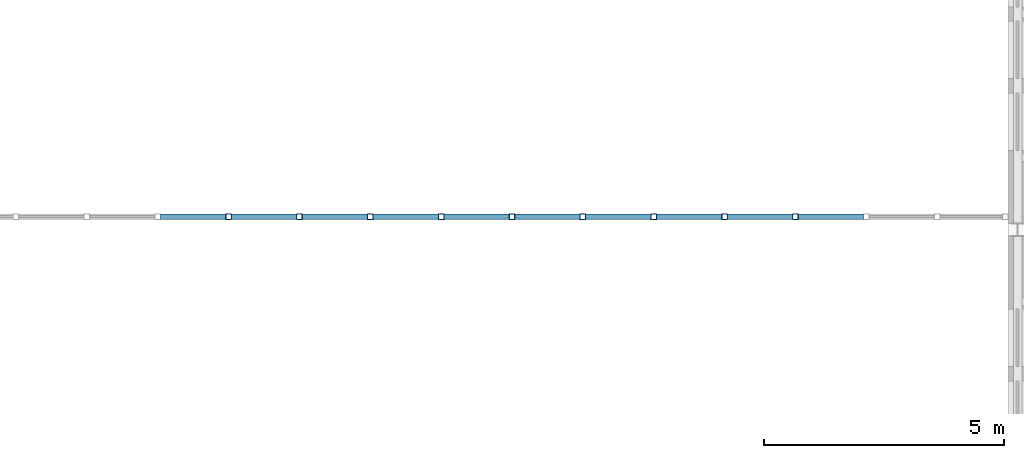
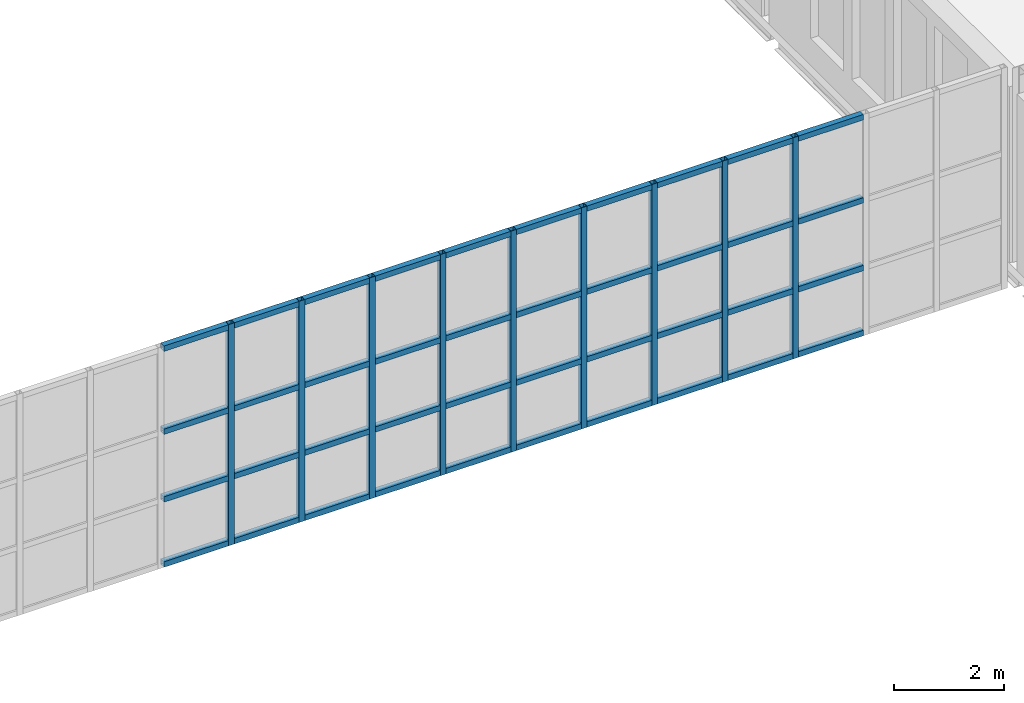
# One storey, part 27 of 134: 49 members, 1 element without a shape of its own.
"""IFC4 building model written with IfcOpenShell, lengths in metres."""

from ifc_helpers import new_model, si_unit, direction, frame, origin, origin_2d, place, context, subcontext, project, spatial, hollow_rectangle, extrude, material, material_profile, profile_set, type_object, element, aggregate, save


model = new_model("IFC4")

# Units and contexts
model_context = context("Model", 3, precision=1e-05, world=origin(), true_north=direction((0.0, 1.0)))
body_context = subcontext(model_context, "Body", "Model", "MODEL_VIEW")
ifc_project = project(units=[si_unit("LENGTHUNIT", "METRE"), si_unit("AREAUNIT", "SQUARE_METRE"), si_unit("VOLUMEUNIT", "CUBIC_METRE"), si_unit("PLANEANGLEUNIT", "RADIAN"), si_unit("MASSUNIT", "GRAM", prefix="KILO")], contexts=[model_context])

# Site, building, storey
site_placement = place(None, origin())
site = spatial("IfcSite", under=ifc_project, at=site_placement, CompositionType="ELEMENT")
building_placement = place(site_placement, origin())
building = spatial("IfcBuilding", under=site, at=building_placement, Name="Golden Quay Civic Hall", CompositionType="ELEMENT")
storey_placement = place(building_placement, frame((0.0, 0.0, 5.39990234375)))
storey = spatial("IfcBuildingStorey", under=building, at=storey_placement, Name="L01", CompositionType="ELEMENT", Elevation=5.39990234375)

# Curtain wall, members
ifc_material_1 = material(Name="Fire-resisting glass and steel", Category="steel")
curtain_wall_type = type_object("IfcCurtainWallType", Name="Fire-resisting glazed curtain wall EI 120", PredefinedType="NOTDEFINED", material=ifc_material_1)
curtain_wall_placement = place(storey_placement, origin())
curtain_wall = element("IfcCurtainWall", 1, at=curtain_wall_placement, inside=storey, type_object=curtain_wall_type, Name="CW3 curtain wall", PredefinedType="NOTDEFINED")
ifc_material_2 = material(Name="Steel S355", Category="steel")
ifc_material_profile_1 = material_profile(ifc_material_2, hollow_rectangle(XDim=0.1201171875, YDim=0.1201171875, WallThickness=0.008056640625, at=origin_2d()), Name="SHS 120x120x8")
ifc_profile_set_1 = profile_set([ifc_material_profile_1], Name="Steel S355")
member_type_1 = type_object("IfcMemberType", Name="Fire-resisting steel mullion SHS 120x120x8", PredefinedType="MULLION", material=ifc_profile_set_1)
member_1_placement = place(storey_placement, frame((82.54443359375, 18.27001953125, -0.599853515625), z_axis=(0.0, 0.0, 1.0), x_axis=(0.0, 1.0, 0.0)))
member_1 = element("IfcMember", 2, at=member_1_placement, type_object=member_type_1, Name="CW3 mullion 8", PredefinedType="MULLION", context=body_context, shape_type="SweptSolid", body=[
    extrude(hollow_rectangle(XDim=0.1201171875, YDim=0.1201171875, WallThickness=0.008056640625, at=origin_2d()), origin(), (0.0, 0.0, 1.0), 4.89990234375),
])
member_2_placement = place(storey_placement, frame((84.022216796875, 18.27001953125, -0.599853515625), z_axis=(0.0, 0.0, 1.0), x_axis=(0.0, 1.0, 0.0)))
member_2 = element("IfcMember", 3, at=member_2_placement, type_object=member_type_1, Name="CW3 mullion 9", PredefinedType="MULLION", context=body_context, shape_type="SweptSolid", body=[
    extrude(hollow_rectangle(XDim=0.1201171875, YDim=0.1201171875, WallThickness=0.008056640625, at=origin_2d()), origin(), (0.0, 0.0, 1.0), 4.89990234375),
])
member_3_placement = place(storey_placement, frame((85.5, 18.27001953125, -0.599853515625), z_axis=(0.0, 0.0, 1.0), x_axis=(0.0, 1.0, 0.0)))
member_3 = element("IfcMember", 4, at=member_3_placement, type_object=member_type_1, Name="CW3 mullion 10", PredefinedType="MULLION", context=body_context, shape_type="SweptSolid", body=[
    extrude(hollow_rectangle(XDim=0.1201171875, YDim=0.1201171875, WallThickness=0.008056640625, at=origin_2d()), origin(), (0.0, 0.0, 1.0), 4.89990234375),
])
member_4_placement = place(storey_placement, frame((86.977783203125, 18.27001953125, -0.599853515625), z_axis=(0.0, 0.0, 1.0), x_axis=(0.0, 1.0, 0.0)))
member_4 = element("IfcMember", 5, at=member_4_placement, type_object=member_type_1, Name="CW3 mullion 11", PredefinedType="MULLION", context=body_context, shape_type="SweptSolid", body=[
    extrude(hollow_rectangle(XDim=0.1201171875, YDim=0.1201171875, WallThickness=0.008056640625, at=origin_2d()), origin(), (0.0, 0.0, 1.0), 4.89990234375),
])
member_5_placement = place(storey_placement, frame((88.45556640625, 18.27001953125, -0.599853515625), z_axis=(0.0, 0.0, 1.0), x_axis=(0.0, 1.0, 0.0)))
member_5 = element("IfcMember", 6, at=member_5_placement, type_object=member_type_1, Name="CW3 mullion 12", PredefinedType="MULLION", context=body_context, shape_type="SweptSolid", body=[
    extrude(hollow_rectangle(XDim=0.1201171875, YDim=0.1201171875, WallThickness=0.008056640625, at=origin_2d()), origin(), (0.0, 0.0, 1.0), 4.89990234375),
])
member_6_placement = place(storey_placement, frame((89.933349609375, 18.27001953125, -0.599853515625), z_axis=(0.0, 0.0, 1.0), x_axis=(0.0, 1.0, 0.0)))
member_6 = element("IfcMember", 7, at=member_6_placement, type_object=member_type_1, Name="CW3 mullion 13", PredefinedType="MULLION", context=body_context, shape_type="SweptSolid", body=[
    extrude(hollow_rectangle(XDim=0.1201171875, YDim=0.1201171875, WallThickness=0.008056640625, at=origin_2d()), origin(), (0.0, 0.0, 1.0), 4.89990234375),
])
member_7_placement = place(storey_placement, frame((91.4111328125, 18.27001953125, -0.599853515625), z_axis=(0.0, 0.0, 1.0), x_axis=(0.0, 1.0, 0.0)))
member_7 = element("IfcMember", 8, at=member_7_placement, type_object=member_type_1, Name="CW3 mullion 14", PredefinedType="MULLION", context=body_context, shape_type="SweptSolid", body=[
    extrude(hollow_rectangle(XDim=0.1201171875, YDim=0.1201171875, WallThickness=0.008056640625, at=origin_2d()), origin(), (0.0, 0.0, 1.0), 4.89990234375),
])
member_8_placement = place(storey_placement, frame((92.888916015625, 18.27001953125, -0.599853515625), z_axis=(0.0, 0.0, 1.0), x_axis=(0.0, 1.0, 0.0)))
member_8 = element("IfcMember", 9, at=member_8_placement, type_object=member_type_1, Name="CW3 mullion 15", PredefinedType="MULLION", context=body_context, shape_type="SweptSolid", body=[
    extrude(hollow_rectangle(XDim=0.1201171875, YDim=0.1201171875, WallThickness=0.008056640625, at=origin_2d()), origin(), (0.0, 0.0, 1.0), 4.89990234375),
])
member_9_placement = place(storey_placement, frame((94.36669921875, 18.27001953125, -0.599853515625), z_axis=(0.0, 0.0, 1.0), x_axis=(0.0, 1.0, 0.0)))
member_9 = element("IfcMember", 10, at=member_9_placement, type_object=member_type_1, Name="CW3 mullion 16", PredefinedType="MULLION", context=body_context, shape_type="SweptSolid", body=[
    extrude(hollow_rectangle(XDim=0.1201171875, YDim=0.1201171875, WallThickness=0.008056640625, at=origin_2d()), origin(), (0.0, 0.0, 1.0), 4.89990234375),
])
ifc_material_3 = material(Name="Steel S355", Category="steel")
ifc_material_profile_2 = material_profile(ifc_material_3, hollow_rectangle(XDim=0.1201171875, YDim=0.1201171875, WallThickness=0.008056640625, at=origin_2d()), Name="SHS 120x120x8")
ifc_profile_set_2 = profile_set([ifc_material_profile_2], Name="Steel S355")
member_type_2 = type_object("IfcMemberType", Name="Fire-resisting steel transom SHS 120x120x8", PredefinedType="USERDEFINED", material=ifc_profile_set_2)
member_10_placement = place(storey_placement, frame((81.126708984375, 18.27001953125, -0.539794921875), z_axis=(1.0, 0.0, 0.0), x_axis=(0.0, 1.0, 0.0)))
member_10 = element("IfcMember", 11, at=member_10_placement, type_object=member_type_2, Name="CW3 transom 7.1", ObjectType="TRANSOM", PredefinedType="USERDEFINED", context=body_context, shape_type="SweptSolid", body=[
    extrude(hollow_rectangle(XDim=0.1201171875, YDim=0.1201171875, WallThickness=0.008056640625, at=origin_2d()), origin(), (0.0, 0.0, 1.0), 1.357666015625),
])
member_11_placement = place(storey_placement, frame((81.126708984375, 18.27001953125, 0.900146484375), z_axis=(1.0, 0.0, 0.0), x_axis=(0.0, 1.0, 0.0)))
member_11 = element("IfcMember", 12, at=member_11_placement, type_object=member_type_2, Name="CW3 transom 7.2", ObjectType="TRANSOM", PredefinedType="USERDEFINED", context=body_context, shape_type="SweptSolid", body=[
    extrude(hollow_rectangle(XDim=0.1201171875, YDim=0.1201171875, WallThickness=0.008056640625, at=origin_2d()), origin(), (0.0, 0.0, 1.0), 1.357666015625),
])
member_12_placement = place(storey_placement, frame((81.126708984375, 18.27001953125, 2.400146484375), z_axis=(1.0, 0.0, 0.0), x_axis=(0.0, 1.0, 0.0)))
member_12 = element("IfcMember", 13, at=member_12_placement, type_object=member_type_2, Name="CW3 transom 7.3", ObjectType="TRANSOM", PredefinedType="USERDEFINED", context=body_context, shape_type="SweptSolid", body=[
    extrude(hollow_rectangle(XDim=0.1201171875, YDim=0.1201171875, WallThickness=0.008056640625, at=origin_2d()), origin(), (0.0, 0.0, 1.0), 1.357666015625),
])
member_13_placement = place(storey_placement, frame((81.126708984375, 18.27001953125, 4.239990234375), z_axis=(1.0, 0.0, 0.0), x_axis=(0.0, 1.0, 0.0)))
member_13 = element("IfcMember", 14, at=member_13_placement, type_object=member_type_2, Name="CW3 transom 7.4", ObjectType="TRANSOM", PredefinedType="USERDEFINED", context=body_context, shape_type="SweptSolid", body=[
    extrude(hollow_rectangle(XDim=0.1201171875, YDim=0.1201171875, WallThickness=0.008056640625, at=origin_2d()), origin(), (0.0, 0.0, 1.0), 1.357666015625),
])
member_14_placement = place(storey_placement, frame((82.6044921875, 18.27001953125, -0.539794921875), z_axis=(1.0, 0.0, 0.0), x_axis=(0.0, 1.0, 0.0)))
member_14 = element("IfcMember", 15, at=member_14_placement, type_object=member_type_2, Name="CW3 transom 8.1", ObjectType="TRANSOM", PredefinedType="USERDEFINED", context=body_context, shape_type="SweptSolid", body=[
    extrude(hollow_rectangle(XDim=0.1201171875, YDim=0.1201171875, WallThickness=0.008056640625, at=origin_2d()), origin(), (0.0, 0.0, 1.0), 1.357666015625),
])
member_15_placement = place(storey_placement, frame((82.6044921875, 18.27001953125, 0.900146484375), z_axis=(1.0, 0.0, 0.0), x_axis=(0.0, 1.0, 0.0)))
member_15 = element("IfcMember", 16, at=member_15_placement, type_object=member_type_2, Name="CW3 transom 8.2", ObjectType="TRANSOM", PredefinedType="USERDEFINED", context=body_context, shape_type="SweptSolid", body=[
    extrude(hollow_rectangle(XDim=0.1201171875, YDim=0.1201171875, WallThickness=0.008056640625, at=origin_2d()), origin(), (0.0, 0.0, 1.0), 1.357666015625),
])
member_16_placement = place(storey_placement, frame((82.6044921875, 18.27001953125, 2.400146484375), z_axis=(1.0, 0.0, 0.0), x_axis=(0.0, 1.0, 0.0)))
member_16 = element("IfcMember", 17, at=member_16_placement, type_object=member_type_2, Name="CW3 transom 8.3", ObjectType="TRANSOM", PredefinedType="USERDEFINED", context=body_context, shape_type="SweptSolid", body=[
    extrude(hollow_rectangle(XDim=0.1201171875, YDim=0.1201171875, WallThickness=0.008056640625, at=origin_2d()), origin(), (0.0, 0.0, 1.0), 1.357666015625),
])
member_17_placement = place(storey_placement, frame((82.6044921875, 18.27001953125, 4.239990234375), z_axis=(1.0, 0.0, 0.0), x_axis=(0.0, 1.0, 0.0)))
member_17 = element("IfcMember", 18, at=member_17_placement, type_object=member_type_2, Name="CW3 transom 8.4", ObjectType="TRANSOM", PredefinedType="USERDEFINED", context=body_context, shape_type="SweptSolid", body=[
    extrude(hollow_rectangle(XDim=0.1201171875, YDim=0.1201171875, WallThickness=0.008056640625, at=origin_2d()), origin(), (0.0, 0.0, 1.0), 1.357666015625),
])
member_18_placement = place(storey_placement, frame((84.082275390625, 18.27001953125, -0.539794921875), z_axis=(1.0, 0.0, 0.0), x_axis=(0.0, 1.0, 0.0)))
member_18 = element("IfcMember", 19, at=member_18_placement, type_object=member_type_2, Name="CW3 transom 9.1", ObjectType="TRANSOM", PredefinedType="USERDEFINED", context=body_context, shape_type="SweptSolid", body=[
    extrude(hollow_rectangle(XDim=0.1201171875, YDim=0.1201171875, WallThickness=0.008056640625, at=origin_2d()), origin(), (0.0, 0.0, 1.0), 1.357666015625),
])
member_19_placement = place(storey_placement, frame((84.082275390625, 18.27001953125, 0.900146484375), z_axis=(1.0, 0.0, 0.0), x_axis=(0.0, 1.0, 0.0)))
member_19 = element("IfcMember", 20, at=member_19_placement, type_object=member_type_2, Name="CW3 transom 9.2", ObjectType="TRANSOM", PredefinedType="USERDEFINED", context=body_context, shape_type="SweptSolid", body=[
    extrude(hollow_rectangle(XDim=0.1201171875, YDim=0.1201171875, WallThickness=0.008056640625, at=origin_2d()), origin(), (0.0, 0.0, 1.0), 1.357666015625),
])
member_20_placement = place(storey_placement, frame((84.082275390625, 18.27001953125, 2.400146484375), z_axis=(1.0, 0.0, 0.0), x_axis=(0.0, 1.0, 0.0)))
member_20 = element("IfcMember", 21, at=member_20_placement, type_object=member_type_2, Name="CW3 transom 9.3", ObjectType="TRANSOM", PredefinedType="USERDEFINED", context=body_context, shape_type="SweptSolid", body=[
    extrude(hollow_rectangle(XDim=0.1201171875, YDim=0.1201171875, WallThickness=0.008056640625, at=origin_2d()), origin(), (0.0, 0.0, 1.0), 1.357666015625),
])
member_21_placement = place(storey_placement, frame((84.082275390625, 18.27001953125, 4.239990234375), z_axis=(1.0, 0.0, 0.0), x_axis=(0.0, 1.0, 0.0)))
member_21 = element("IfcMember", 22, at=member_21_placement, type_object=member_type_2, Name="CW3 transom 9.4", ObjectType="TRANSOM", PredefinedType="USERDEFINED", context=body_context, shape_type="SweptSolid", body=[
    extrude(hollow_rectangle(XDim=0.1201171875, YDim=0.1201171875, WallThickness=0.008056640625, at=origin_2d()), origin(), (0.0, 0.0, 1.0), 1.357666015625),
])
member_22_placement = place(storey_placement, frame((85.56005859375, 18.27001953125, -0.539794921875), z_axis=(1.0, 0.0, 0.0), x_axis=(0.0, 1.0, 0.0)))
member_22 = element("IfcMember", 23, at=member_22_placement, type_object=member_type_2, Name="CW3 transom 10.1", ObjectType="TRANSOM", PredefinedType="USERDEFINED", context=body_context, shape_type="SweptSolid", body=[
    extrude(hollow_rectangle(XDim=0.1201171875, YDim=0.1201171875, WallThickness=0.008056640625, at=origin_2d()), origin(), (0.0, 0.0, 1.0), 1.357666015625),
])
member_23_placement = place(storey_placement, frame((85.56005859375, 18.27001953125, 0.900146484375), z_axis=(1.0, 0.0, 0.0), x_axis=(0.0, 1.0, 0.0)))
member_23 = element("IfcMember", 24, at=member_23_placement, type_object=member_type_2, Name="CW3 transom 10.2", ObjectType="TRANSOM", PredefinedType="USERDEFINED", context=body_context, shape_type="SweptSolid", body=[
    extrude(hollow_rectangle(XDim=0.1201171875, YDim=0.1201171875, WallThickness=0.008056640625, at=origin_2d()), origin(), (0.0, 0.0, 1.0), 1.357666015625),
])
member_24_placement = place(storey_placement, frame((85.56005859375, 18.27001953125, 2.400146484375), z_axis=(1.0, 0.0, 0.0), x_axis=(0.0, 1.0, 0.0)))
member_24 = element("IfcMember", 25, at=member_24_placement, type_object=member_type_2, Name="CW3 transom 10.3", ObjectType="TRANSOM", PredefinedType="USERDEFINED", context=body_context, shape_type="SweptSolid", body=[
    extrude(hollow_rectangle(XDim=0.1201171875, YDim=0.1201171875, WallThickness=0.008056640625, at=origin_2d()), origin(), (0.0, 0.0, 1.0), 1.357666015625),
])
member_25_placement = place(storey_placement, frame((85.56005859375, 18.27001953125, 4.239990234375), z_axis=(1.0, 0.0, 0.0), x_axis=(0.0, 1.0, 0.0)))
member_25 = element("IfcMember", 26, at=member_25_placement, type_object=member_type_2, Name="CW3 transom 10.4", ObjectType="TRANSOM", PredefinedType="USERDEFINED", context=body_context, shape_type="SweptSolid", body=[
    extrude(hollow_rectangle(XDim=0.1201171875, YDim=0.1201171875, WallThickness=0.008056640625, at=origin_2d()), origin(), (0.0, 0.0, 1.0), 1.357666015625),
])
member_26_placement = place(storey_placement, frame((87.037841796875, 18.27001953125, -0.539794921875), z_axis=(1.0, 0.0, 0.0), x_axis=(0.0, 1.0, 0.0)))
member_26 = element("IfcMember", 27, at=member_26_placement, type_object=member_type_2, Name="CW3 transom 11.1", ObjectType="TRANSOM", PredefinedType="USERDEFINED", context=body_context, shape_type="SweptSolid", body=[
    extrude(hollow_rectangle(XDim=0.1201171875, YDim=0.1201171875, WallThickness=0.008056640625, at=origin_2d()), origin(), (0.0, 0.0, 1.0), 1.357666015625),
])
member_27_placement = place(storey_placement, frame((87.037841796875, 18.27001953125, 0.900146484375), z_axis=(1.0, 0.0, 0.0), x_axis=(0.0, 1.0, 0.0)))
member_27 = element("IfcMember", 28, at=member_27_placement, type_object=member_type_2, Name="CW3 transom 11.2", ObjectType="TRANSOM", PredefinedType="USERDEFINED", context=body_context, shape_type="SweptSolid", body=[
    extrude(hollow_rectangle(XDim=0.1201171875, YDim=0.1201171875, WallThickness=0.008056640625, at=origin_2d()), origin(), (0.0, 0.0, 1.0), 1.357666015625),
])
member_28_placement = place(storey_placement, frame((87.037841796875, 18.27001953125, 2.400146484375), z_axis=(1.0, 0.0, 0.0), x_axis=(0.0, 1.0, 0.0)))
member_28 = element("IfcMember", 29, at=member_28_placement, type_object=member_type_2, Name="CW3 transom 11.3", ObjectType="TRANSOM", PredefinedType="USERDEFINED", context=body_context, shape_type="SweptSolid", body=[
    extrude(hollow_rectangle(XDim=0.1201171875, YDim=0.1201171875, WallThickness=0.008056640625, at=origin_2d()), origin(), (0.0, 0.0, 1.0), 1.357666015625),
])
member_29_placement = place(storey_placement, frame((87.037841796875, 18.27001953125, 4.239990234375), z_axis=(1.0, 0.0, 0.0), x_axis=(0.0, 1.0, 0.0)))
member_29 = element("IfcMember", 30, at=member_29_placement, type_object=member_type_2, Name="CW3 transom 11.4", ObjectType="TRANSOM", PredefinedType="USERDEFINED", context=body_context, shape_type="SweptSolid", body=[
    extrude(hollow_rectangle(XDim=0.1201171875, YDim=0.1201171875, WallThickness=0.008056640625, at=origin_2d()), origin(), (0.0, 0.0, 1.0), 1.357666015625),
])
member_30_placement = place(storey_placement, frame((88.515625, 18.27001953125, -0.539794921875), z_axis=(1.0, 0.0, 0.0), x_axis=(0.0, 1.0, 0.0)))
member_30 = element("IfcMember", 31, at=member_30_placement, type_object=member_type_2, Name="CW3 transom 12.1", ObjectType="TRANSOM", PredefinedType="USERDEFINED", context=body_context, shape_type="SweptSolid", body=[
    extrude(hollow_rectangle(XDim=0.1201171875, YDim=0.1201171875, WallThickness=0.008056640625, at=origin_2d()), origin(), (0.0, 0.0, 1.0), 1.357666015625),
])
member_31_placement = place(storey_placement, frame((88.515625, 18.27001953125, 0.900146484375), z_axis=(1.0, 0.0, 0.0), x_axis=(0.0, 1.0, 0.0)))
member_31 = element("IfcMember", 32, at=member_31_placement, type_object=member_type_2, Name="CW3 transom 12.2", ObjectType="TRANSOM", PredefinedType="USERDEFINED", context=body_context, shape_type="SweptSolid", body=[
    extrude(hollow_rectangle(XDim=0.1201171875, YDim=0.1201171875, WallThickness=0.008056640625, at=origin_2d()), origin(), (0.0, 0.0, 1.0), 1.357666015625),
])
member_32_placement = place(storey_placement, frame((88.515625, 18.27001953125, 2.400146484375), z_axis=(1.0, 0.0, 0.0), x_axis=(0.0, 1.0, 0.0)))
member_32 = element("IfcMember", 33, at=member_32_placement, type_object=member_type_2, Name="CW3 transom 12.3", ObjectType="TRANSOM", PredefinedType="USERDEFINED", context=body_context, shape_type="SweptSolid", body=[
    extrude(hollow_rectangle(XDim=0.1201171875, YDim=0.1201171875, WallThickness=0.008056640625, at=origin_2d()), origin(), (0.0, 0.0, 1.0), 1.357666015625),
])
member_33_placement = place(storey_placement, frame((88.515625, 18.27001953125, 4.239990234375), z_axis=(1.0, 0.0, 0.0), x_axis=(0.0, 1.0, 0.0)))
member_33 = element("IfcMember", 34, at=member_33_placement, type_object=member_type_2, Name="CW3 transom 12.4", ObjectType="TRANSOM", PredefinedType="USERDEFINED", context=body_context, shape_type="SweptSolid", body=[
    extrude(hollow_rectangle(XDim=0.1201171875, YDim=0.1201171875, WallThickness=0.008056640625, at=origin_2d()), origin(), (0.0, 0.0, 1.0), 1.357666015625),
])
member_34_placement = place(storey_placement, frame((89.993408203125, 18.27001953125, -0.539794921875), z_axis=(1.0, 0.0, 0.0), x_axis=(0.0, 1.0, 0.0)))
member_34 = element("IfcMember", 35, at=member_34_placement, type_object=member_type_2, Name="CW3 transom 13.1", ObjectType="TRANSOM", PredefinedType="USERDEFINED", context=body_context, shape_type="SweptSolid", body=[
    extrude(hollow_rectangle(XDim=0.1201171875, YDim=0.1201171875, WallThickness=0.008056640625, at=origin_2d()), origin(), (0.0, 0.0, 1.0), 1.357666015625),
])
member_35_placement = place(storey_placement, frame((89.993408203125, 18.27001953125, 0.900146484375), z_axis=(1.0, 0.0, 0.0), x_axis=(0.0, 1.0, 0.0)))
member_35 = element("IfcMember", 36, at=member_35_placement, type_object=member_type_2, Name="CW3 transom 13.2", ObjectType="TRANSOM", PredefinedType="USERDEFINED", context=body_context, shape_type="SweptSolid", body=[
    extrude(hollow_rectangle(XDim=0.1201171875, YDim=0.1201171875, WallThickness=0.008056640625, at=origin_2d()), origin(), (0.0, 0.0, 1.0), 1.357666015625),
])
member_36_placement = place(storey_placement, frame((89.993408203125, 18.27001953125, 2.400146484375), z_axis=(1.0, 0.0, 0.0), x_axis=(0.0, 1.0, 0.0)))
member_36 = element("IfcMember", 37, at=member_36_placement, type_object=member_type_2, Name="CW3 transom 13.3", ObjectType="TRANSOM", PredefinedType="USERDEFINED", context=body_context, shape_type="SweptSolid", body=[
    extrude(hollow_rectangle(XDim=0.1201171875, YDim=0.1201171875, WallThickness=0.008056640625, at=origin_2d()), origin(), (0.0, 0.0, 1.0), 1.357666015625),
])
member_37_placement = place(storey_placement, frame((89.993408203125, 18.27001953125, 4.239990234375), z_axis=(1.0, 0.0, 0.0), x_axis=(0.0, 1.0, 0.0)))
member_37 = element("IfcMember", 38, at=member_37_placement, type_object=member_type_2, Name="CW3 transom 13.4", ObjectType="TRANSOM", PredefinedType="USERDEFINED", context=body_context, shape_type="SweptSolid", body=[
    extrude(hollow_rectangle(XDim=0.1201171875, YDim=0.1201171875, WallThickness=0.008056640625, at=origin_2d()), origin(), (0.0, 0.0, 1.0), 1.357666015625),
])
member_38_placement = place(storey_placement, frame((91.47119140625, 18.27001953125, -0.539794921875), z_axis=(1.0, 0.0, 0.0), x_axis=(0.0, 1.0, 0.0)))
member_38 = element("IfcMember", 39, at=member_38_placement, type_object=member_type_2, Name="CW3 transom 14.1", ObjectType="TRANSOM", PredefinedType="USERDEFINED", context=body_context, shape_type="SweptSolid", body=[
    extrude(hollow_rectangle(XDim=0.1201171875, YDim=0.1201171875, WallThickness=0.008056640625, at=origin_2d()), origin(), (0.0, 0.0, 1.0), 1.357666015625),
])
member_39_placement = place(storey_placement, frame((91.47119140625, 18.27001953125, 0.900146484375), z_axis=(1.0, 0.0, 0.0), x_axis=(0.0, 1.0, 0.0)))
member_39 = element("IfcMember", 40, at=member_39_placement, type_object=member_type_2, Name="CW3 transom 14.2", ObjectType="TRANSOM", PredefinedType="USERDEFINED", context=body_context, shape_type="SweptSolid", body=[
    extrude(hollow_rectangle(XDim=0.1201171875, YDim=0.1201171875, WallThickness=0.008056640625, at=origin_2d()), origin(), (0.0, 0.0, 1.0), 1.357666015625),
])
member_40_placement = place(storey_placement, frame((91.47119140625, 18.27001953125, 2.400146484375), z_axis=(1.0, 0.0, 0.0), x_axis=(0.0, 1.0, 0.0)))
member_40 = element("IfcMember", 41, at=member_40_placement, type_object=member_type_2, Name="CW3 transom 14.3", ObjectType="TRANSOM", PredefinedType="USERDEFINED", context=body_context, shape_type="SweptSolid", body=[
    extrude(hollow_rectangle(XDim=0.1201171875, YDim=0.1201171875, WallThickness=0.008056640625, at=origin_2d()), origin(), (0.0, 0.0, 1.0), 1.357666015625),
])
member_41_placement = place(storey_placement, frame((91.47119140625, 18.27001953125, 4.239990234375), z_axis=(1.0, 0.0, 0.0), x_axis=(0.0, 1.0, 0.0)))
member_41 = element("IfcMember", 42, at=member_41_placement, type_object=member_type_2, Name="CW3 transom 14.4", ObjectType="TRANSOM", PredefinedType="USERDEFINED", context=body_context, shape_type="SweptSolid", body=[
    extrude(hollow_rectangle(XDim=0.1201171875, YDim=0.1201171875, WallThickness=0.008056640625, at=origin_2d()), origin(), (0.0, 0.0, 1.0), 1.357666015625),
])
member_42_placement = place(storey_placement, frame((92.948974609375, 18.27001953125, -0.539794921875), z_axis=(1.0, 0.0, 0.0), x_axis=(0.0, 1.0, 0.0)))
member_42 = element("IfcMember", 43, at=member_42_placement, type_object=member_type_2, Name="CW3 transom 15.1", ObjectType="TRANSOM", PredefinedType="USERDEFINED", context=body_context, shape_type="SweptSolid", body=[
    extrude(hollow_rectangle(XDim=0.1201171875, YDim=0.1201171875, WallThickness=0.008056640625, at=origin_2d()), origin(), (0.0, 0.0, 1.0), 1.357666015625),
])
member_43_placement = place(storey_placement, frame((92.948974609375, 18.27001953125, 0.900146484375), z_axis=(1.0, 0.0, 0.0), x_axis=(0.0, 1.0, 0.0)))
member_43 = element("IfcMember", 44, at=member_43_placement, type_object=member_type_2, Name="CW3 transom 15.2", ObjectType="TRANSOM", PredefinedType="USERDEFINED", context=body_context, shape_type="SweptSolid", body=[
    extrude(hollow_rectangle(XDim=0.1201171875, YDim=0.1201171875, WallThickness=0.008056640625, at=origin_2d()), origin(), (0.0, 0.0, 1.0), 1.357666015625),
])
member_44_placement = place(storey_placement, frame((92.948974609375, 18.27001953125, 2.400146484375), z_axis=(1.0, 0.0, 0.0), x_axis=(0.0, 1.0, 0.0)))
member_44 = element("IfcMember", 45, at=member_44_placement, type_object=member_type_2, Name="CW3 transom 15.3", ObjectType="TRANSOM", PredefinedType="USERDEFINED", context=body_context, shape_type="SweptSolid", body=[
    extrude(hollow_rectangle(XDim=0.1201171875, YDim=0.1201171875, WallThickness=0.008056640625, at=origin_2d()), origin(), (0.0, 0.0, 1.0), 1.357666015625),
])
member_45_placement = place(storey_placement, frame((92.948974609375, 18.27001953125, 4.239990234375), z_axis=(1.0, 0.0, 0.0), x_axis=(0.0, 1.0, 0.0)))
member_45 = element("IfcMember", 46, at=member_45_placement, type_object=member_type_2, Name="CW3 transom 15.4", ObjectType="TRANSOM", PredefinedType="USERDEFINED", context=body_context, shape_type="SweptSolid", body=[
    extrude(hollow_rectangle(XDim=0.1201171875, YDim=0.1201171875, WallThickness=0.008056640625, at=origin_2d()), origin(), (0.0, 0.0, 1.0), 1.357666015625),
])
member_46_placement = place(storey_placement, frame((94.4267578125, 18.27001953125, -0.539794921875), z_axis=(1.0, 0.0, 0.0), x_axis=(0.0, 1.0, 0.0)))
member_46 = element("IfcMember", 47, at=member_46_placement, type_object=member_type_2, Name="CW3 transom 16.1", ObjectType="TRANSOM", PredefinedType="USERDEFINED", context=body_context, shape_type="SweptSolid", body=[
    extrude(hollow_rectangle(XDim=0.1201171875, YDim=0.1201171875, WallThickness=0.008056640625, at=origin_2d()), origin(), (0.0, 0.0, 1.0), 1.357666015625),
])
member_47_placement = place(storey_placement, frame((94.4267578125, 18.27001953125, 0.900146484375), z_axis=(1.0, 0.0, 0.0), x_axis=(0.0, 1.0, 0.0)))
member_47 = element("IfcMember", 48, at=member_47_placement, type_object=member_type_2, Name="CW3 transom 16.2", ObjectType="TRANSOM", PredefinedType="USERDEFINED", context=body_context, shape_type="SweptSolid", body=[
    extrude(hollow_rectangle(XDim=0.1201171875, YDim=0.1201171875, WallThickness=0.008056640625, at=origin_2d()), origin(), (0.0, 0.0, 1.0), 1.357666015625),
])
member_48_placement = place(storey_placement, frame((94.4267578125, 18.27001953125, 2.400146484375), z_axis=(1.0, 0.0, 0.0), x_axis=(0.0, 1.0, 0.0)))
member_48 = element("IfcMember", 49, at=member_48_placement, type_object=member_type_2, Name="CW3 transom 16.3", ObjectType="TRANSOM", PredefinedType="USERDEFINED", context=body_context, shape_type="SweptSolid", body=[
    extrude(hollow_rectangle(XDim=0.1201171875, YDim=0.1201171875, WallThickness=0.008056640625, at=origin_2d()), origin(), (0.0, 0.0, 1.0), 1.357666015625),
])
member_49_placement = place(storey_placement, frame((94.4267578125, 18.27001953125, 4.239990234375), z_axis=(1.0, 0.0, 0.0), x_axis=(0.0, 1.0, 0.0)))
member_49 = element("IfcMember", 50, at=member_49_placement, type_object=member_type_2, Name="CW3 transom 16.4", ObjectType="TRANSOM", PredefinedType="USERDEFINED", context=body_context, shape_type="SweptSolid", body=[
    extrude(hollow_rectangle(XDim=0.1201171875, YDim=0.1201171875, WallThickness=0.008056640625, at=origin_2d()), origin(), (0.0, 0.0, 1.0), 1.357666015625),
])
aggregate(curtain_wall, [member_1, member_2, member_3, member_4, member_5, member_6, member_7, member_8, member_9, member_10, member_11, member_12, member_13, member_14, member_15, member_16, member_17, member_18, member_19, member_20, member_21, member_22, member_23, member_24, member_25, member_26, member_27, member_28, member_29, member_30, member_31, member_32, member_33, member_34, member_35, member_36, member_37, member_38, member_39, member_40, member_41, member_42, member_43, member_44, member_45, member_46, member_47, member_48, member_49])

save(model, "model.ifc")
